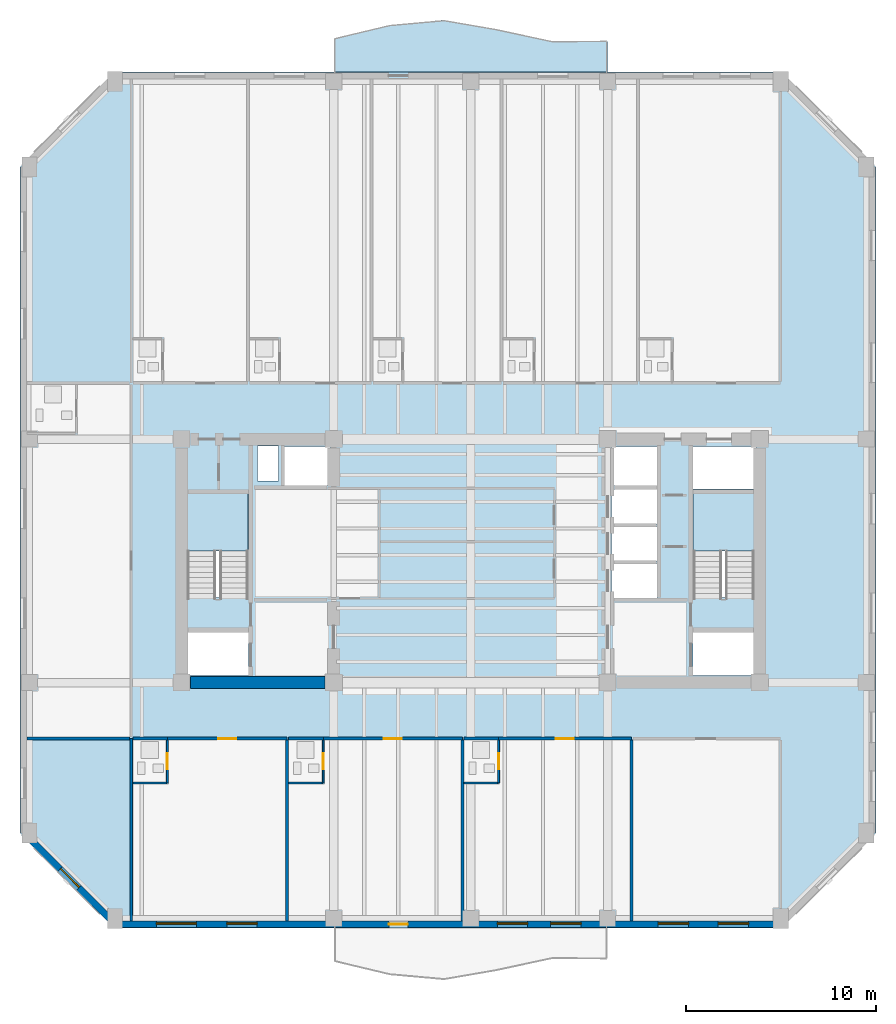
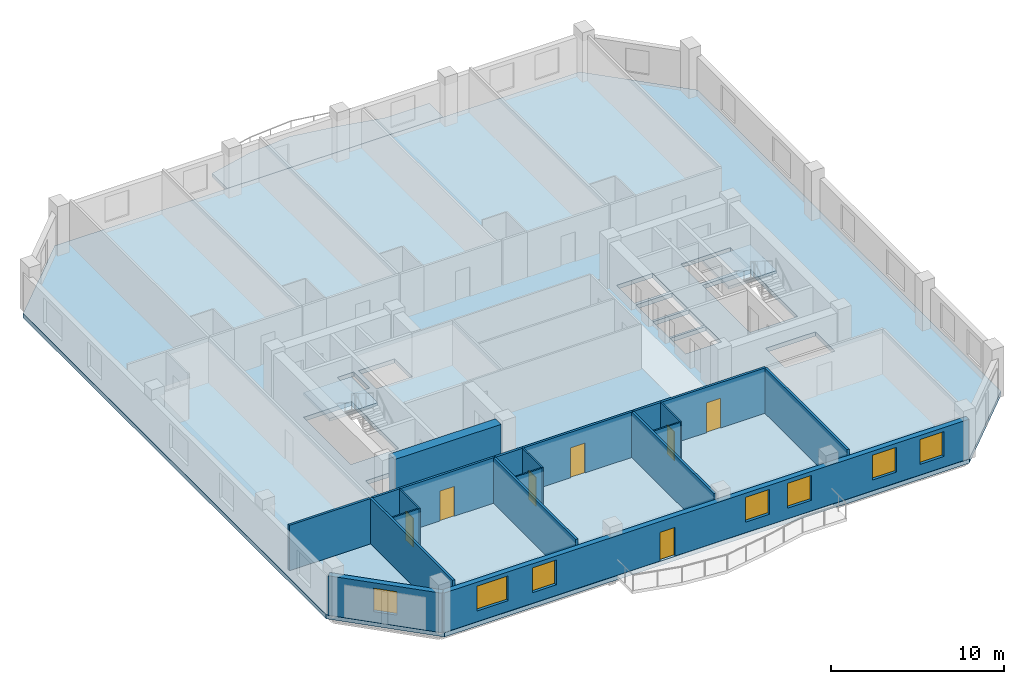
# One storey, part 2 of 11: 20 walls, 7 doors, 7 windows, 4 slabs, 14 openings, 2 elements without a shape of their own.
"""IFC4 building model written with IfcOpenShell, lengths in metres."""

from ifc_helpers import new_model, si_unit, direction, frame, frame_2d, origin, place, context, subcontext, project, spatial, polyline, rectangle, outline, extrude, material, layer, layer_set, type_object, element, fill, aggregate, save


model = new_model("IFC4")

# Units and contexts
model_context = context("Model", 3, precision=1e-05, world=origin(), true_north=direction((0.0, 1.0)))
body_context = subcontext(model_context, "Body", "Model", "MODEL_VIEW")
ifc_project = project(units=[si_unit("LENGTHUNIT", "METRE"), si_unit("AREAUNIT", "SQUARE_METRE"), si_unit("VOLUMEUNIT", "CUBIC_METRE"), si_unit("PLANEANGLEUNIT", "RADIAN"), si_unit("MASSUNIT", "GRAM", prefix="KILO")], contexts=[model_context])

# Site, building, storey
site_placement = place(None, origin())
site = spatial("IfcSite", under=ifc_project, at=site_placement, CompositionType="ELEMENT")
building_placement = place(site_placement, origin())
building = spatial("IfcBuilding", under=site, at=building_placement, Name="Kranthara Brick Stack", CompositionType="ELEMENT")
storey_placement = place(building_placement, frame((0.0, 0.0, 190.300048828125)))
storey = spatial("IfcBuildingStorey", under=building, at=storey_placement, Name="L49", CompositionType="ELEMENT", Elevation=190.300048828125)

# Slab
ifc_material_1 = material(Name="Concrete C45/55", Category="concrete")
ifc_layer_1 = layer(ifc_material_1, 0.219970703125)
ifc_layer_set_1 = layer_set([ifc_layer_1], Name="Concrete C45/55")
slab_type_1 = type_object("IfcSlabType", Name="SLB-BALC-220", PredefinedType="FLOOR", material=ifc_layer_set_1)
slab_1_placement = place(storey_placement, frame((0.0, 0.0, -0.219970703125)))
element("IfcSlab", 1, at=slab_1_placement, inside=storey, type_object=slab_type_1, Name="L49 North Rippling Balcony Slab", PredefinedType="FLOOR", context=body_context, shape_type="SweptSolid", body=[
    extrude(outline(polyline([(35.199951171875, 52.89990234375), (20.800048828125, 52.89990234375), (20.800048828125, 54.65771484375), (23.679931640625, 55.358154296875), (26.56005859375, 55.6396484375), (29.43994140625, 55.148193359375), (32.320068359375, 54.501708984375), (35.199951171875, 54.513427734375), (35.199951171875, 52.89990234375)])), origin(), (0.0, 0.0, 1.0), 0.219970703125),
])

# Stair, slab
ifc_material_2 = material(Name="Concrete C45/55", Category="concrete")
stair_type = type_object("IfcStairType", Name="ST-CORE-20R", PredefinedType="HALF_TURN_STAIR", material=ifc_material_2)
stair_1_placement = place(storey_placement, origin())
stair_1 = element("IfcStair", 2, at=stair_1_placement, inside=storey, type_object=stair_type, Name="L49 West Core Protected Exit Stair ST01", PredefinedType="HALF_TURN_STAIR")
ifc_material_3 = material(Name="Concrete C45/55", Category="concrete")
ifc_layer_2 = layer(ifc_material_3, 0.199951171875)
ifc_layer_set_2 = layer_set([ifc_layer_2], Name="Concrete C45/55")
slab_type_2 = type_object("IfcSlabType", Name="SLB-LANDING-200", PredefinedType="LANDING", material=ifc_layer_set_2)
slab_2_placement = place(storey_placement, frame((0.0, 0.0, 1.550048828125)))
slab_2 = element("IfcSlab", 3, at=slab_2_placement, type_object=slab_type_2, Name="ST01 landing 1", PredefinedType="LANDING", context=body_context, shape_type="SweptSolid", body=[
    extrude(outline(polyline([(16.300048828125, 27.719970703125), (16.300048828125, 30.75), (13.10009765625, 30.75), (13.10009765625, 27.719970703125), (16.300048828125, 27.719970703125)])), origin(), (0.0, 0.0, 1.0), 0.199951171875),
])
aggregate(stair_1, [slab_2])

stair_2_placement = place(storey_placement, origin())
stair_2 = element("IfcStair", 4, at=stair_2_placement, inside=storey, type_object=stair_type, Name="L49 East Core Protected Exit Stair ST02", PredefinedType="HALF_TURN_STAIR")
slab_3_placement = place(storey_placement, frame((0.0, 0.0, 1.550048828125)))
slab_3 = element("IfcSlab", 5, at=slab_3_placement, type_object=slab_type_2, Name="ST02 landing 1", PredefinedType="LANDING", context=body_context, shape_type="SweptSolid", body=[
    extrude(outline(polyline([(42.89990234375, 27.719970703125), (42.89990234375, 30.75), (39.699951171875, 30.75), (39.699951171875, 27.719970703125), (42.89990234375, 27.719970703125)])), origin(), (0.0, 0.0, 1.0), 0.199951171875),
])
aggregate(stair_2, [slab_3])

# Slab
ifc_material_4 = material(Name="Post-tensioned concrete C45/55", Category="concrete")
ifc_layer_3 = layer(ifc_material_4, 0.300048828125)
ifc_layer_set_3 = layer_set([ifc_layer_3], Name="Post-tensioned concrete C45/55")
slab_type_3 = type_object("IfcSlabType", Name="SLB-TWR-300", PredefinedType="FLOOR", material=ifc_layer_set_3)
slab_4_placement = place(storey_placement, frame((0.0, 0.0, -0.300048828125)))
element("IfcSlab", 6, at=slab_4_placement, inside=storey, type_object=slab_type_3, Name="L49 Structural Floor Plate", PredefinedType="FLOOR", context=body_context, shape_type="SweptSolid", body=[
    extrude(outline(polyline([(9.300048828125, 7.89990234375), (44.300048828125, 7.89990234375), (49.300048828125, 12.89990234375), (49.300048828125, 47.89990234375), (44.300048828125, 52.89990234375), (9.300048828125, 52.89990234375), (4.300048828125, 47.89990234375), (4.300048828125, 12.89990234375), (9.300048828125, 7.89990234375)]), holes=[polyline([(13.10009765625, 25.280029296875), (16.300048828125, 25.280029296875), (16.300048828125, 30.75), (13.10009765625, 30.75), (13.10009765625, 25.280029296875)]), polyline([(39.699951171875, 25.280029296875), (42.89990234375, 25.280029296875), (42.89990234375, 30.75), (39.699951171875, 30.75), (39.699951171875, 25.280029296875)]), polyline([(13.0, 21.179931640625), (16.320068359375, 21.179931640625), (16.320068359375, 23.419921875), (13.0, 23.419921875), (13.0, 21.179931640625)]), polyline([(39.679931640625, 21.179931640625), (43.0, 21.179931640625), (43.0, 23.419921875), (39.679931640625, 23.419921875), (39.679931640625, 21.179931640625)]), polyline([(39.679931640625, 30.97998046875), (43.0, 30.97998046875), (43.0, 33.219970703125), (39.679931640625, 33.219970703125), (39.679931640625, 30.97998046875)]), polyline([(35.39990234375, 25.25), (37.800048828125, 25.25), (37.800048828125, 27.050048828125), (35.39990234375, 27.050048828125), (35.39990234375, 25.25)]), polyline([(35.39990234375, 27.199951171875), (37.800048828125, 27.199951171875), (37.800048828125, 29.0), (35.39990234375, 29.0), (35.39990234375, 27.199951171875)]), polyline([(35.39990234375, 29.14990234375), (37.800048828125, 29.14990234375), (37.800048828125, 30.949951171875), (35.39990234375, 30.949951171875), (35.39990234375, 29.14990234375)]), polyline([(18.199951171875, 31.14990234375), (20.60009765625, 31.14990234375), (20.60009765625, 33.219970703125), (18.199951171875, 33.219970703125), (18.199951171875, 31.14990234375)]), polyline([(35.39990234375, 31.14990234375), (37.800048828125, 31.14990234375), (37.800048828125, 33.219970703125), (35.39990234375, 33.219970703125), (35.39990234375, 31.14990234375)]), polyline([(16.800048828125, 31.39990234375), (17.89990234375, 31.39990234375), (17.89990234375, 33.25), (16.800048828125, 33.25), (16.800048828125, 31.39990234375)])]), origin(), (0.0, 0.0, 1.0), 0.300048828125),
])

# Wall, openings, door, windows
ifc_material_5 = material(Name="Kiln-fired clay brick masonry M15", Category="masonry")
ifc_layer_4 = layer(ifc_material_5, 0.35009765625)
ifc_layer_set_4 = layer_set([ifc_layer_4], Name="Kiln-fired clay brick masonry M15")
wall_type_1 = type_object("IfcWallType", Name="WL-BRK-SPND-350", PredefinedType="STANDARD", material=ifc_layer_set_4)
wall_1_placement = place(storey_placement, frame((44.300048828125, 8.094970703125, 0.0), z_axis=(0.0, 0.0, 1.0), x_axis=(-1.0, 0.0, 0.0)))
wall_1 = element("IfcWall", 7, at=wall_1_placement, inside=storey, type_object=wall_type_1, Name="L49 Exterior Brick Facade Wall SOUTH 1", PredefinedType="STANDARD", context=body_context, shape_type="SweptSolid", body=[
    extrude(rectangle(XDim=35.0, YDim=0.35009765625, at=frame_2d((17.5, 0.0))), origin(), (0.0, 0.0, 1.0), 2.784912109375),
])
opening_1_placement = place(wall_1_placement, frame((19.60009765625, 0.0, 0.0)))
opening_1 = element("IfcOpeningElement", 8, at=opening_1_placement, cuts=wall_1, Name="Opening D03", PredefinedType="OPENING", context=body_context, shape_type="SweptSolid", body=[
    extrude(rectangle(XDim=1.0, YDim=2.02001953125, at=frame_2d((0.5, 1.010009765625))), frame((0.0, 0.18505859375, 0.0), z_axis=(0.0, -1.0, 0.0), x_axis=(1.0, 0.0, 0.0)), (0.0, 0.0, 1.0), 0.3701171875),
])
opening_2_placement = place(wall_1_placement, frame((1.68603515625, 0.0, 0.75)))
opening_2 = element("IfcOpeningElement", 9, at=opening_2_placement, cuts=wall_1, Name="Opening WN04", PredefinedType="OPENING", context=body_context, shape_type="SweptSolid", body=[
    extrude(rectangle(XDim=1.60009765625, YDim=1.75, at=frame_2d((0.800048828125, 0.875))), frame((0.0, 0.18505859375, 0.0), z_axis=(0.0, -1.0, 0.0), x_axis=(1.0, 0.0, 0.0)), (0.0, 0.0, 1.0), 0.3701171875),
])
opening_3_placement = place(wall_1_placement, frame((4.843017578125, 0.0, 0.75)))
opening_3 = element("IfcOpeningElement", 10, at=opening_3_placement, cuts=wall_1, Name="Opening WN04", PredefinedType="OPENING", context=body_context, shape_type="SweptSolid", body=[
    extrude(rectangle(XDim=1.60009765625, YDim=1.75, at=frame_2d((0.800048828125, 0.875))), frame((0.0, 0.18505859375, 0.0), z_axis=(0.0, -1.0, 0.0), x_axis=(1.0, 0.0, 0.0)), (0.0, 0.0, 1.0), 0.3701171875),
])
opening_4_placement = place(wall_1_placement, frame((10.49609375, 0.0, 0.75)))
opening_4 = element("IfcOpeningElement", 11, at=opening_4_placement, cuts=wall_1, Name="Opening WN04", PredefinedType="OPENING", context=body_context, shape_type="SweptSolid", body=[
    extrude(rectangle(XDim=1.60009765625, YDim=1.75, at=frame_2d((0.800048828125, 0.875))), frame((0.0, 0.18505859375, 0.0), z_axis=(0.0, -1.0, 0.0), x_axis=(1.0, 0.0, 0.0)), (0.0, 0.0, 1.0), 0.3701171875),
])
opening_5_placement = place(wall_1_placement, frame((13.303955078125, 0.0, 0.75)))
opening_5 = element("IfcOpeningElement", 12, at=opening_5_placement, cuts=wall_1, Name="Opening WN04", PredefinedType="OPENING", context=body_context, shape_type="SweptSolid", body=[
    extrude(rectangle(XDim=1.60009765625, YDim=1.75, at=frame_2d((0.800048828125, 0.875))), frame((0.0, 0.18505859375, 0.0), z_axis=(0.0, -1.0, 0.0), x_axis=(1.0, 0.0, 0.0)), (0.0, 0.0, 1.0), 0.3701171875),
])
opening_6_placement = place(wall_1_placement, frame((27.52490234375, 0.0, 0.75)))
opening_6 = element("IfcOpeningElement", 13, at=opening_6_placement, cuts=wall_1, Name="Opening WN04", PredefinedType="OPENING", context=body_context, shape_type="SweptSolid", body=[
    extrude(rectangle(XDim=1.60009765625, YDim=1.75, at=frame_2d((0.800048828125, 0.875))), frame((0.0, 0.18505859375, 0.0), z_axis=(0.0, -1.0, 0.0), x_axis=(1.0, 0.0, 0.0)), (0.0, 0.0, 1.0), 0.3701171875),
])
opening_7_placement = place(wall_1_placement, frame((30.72900390625, 0.0, 0.75)))
opening_7 = element("IfcOpeningElement", 14, at=opening_7_placement, cuts=wall_1, Name="Opening WN05", PredefinedType="OPENING", context=body_context, shape_type="SweptSolid", body=[
    extrude(rectangle(XDim=2.10009765625, YDim=1.75, at=frame_2d((1.050048828125, 0.875))), frame((0.0, 0.18505859375, 0.0), z_axis=(0.0, -1.0, 0.0), x_axis=(1.0, 0.0, 0.0)), (0.0, 0.0, 1.0), 0.3701171875),
])
ifc_material_6 = material(Name="Bronze anodised aluminium and laminated glass", Category="aluminium")
door_type_1 = type_object("IfcDoorType", Name="DR-BALC-1000", OperationType="NOTDEFINED", PredefinedType="DOOR", material=ifc_material_6)
door_1_placement = place(opening_1_placement, origin())
door_1 = element("IfcDoor", 15, at=door_1_placement, inside=storey, type_object=door_type_1, Name="L49 South Balcony Terrace Door", OperationType="SINGLE_SWING_LEFT", OverallHeight=2.02001953125, OverallWidth=1.0, PredefinedType="DOOR", context=body_context, shape_type="SweptSolid", body=[
    extrude(rectangle(XDim=1.0, YDim=2.02001953125, at=frame_2d((0.5, 1.010009765625))), frame((0.0, 0.02490234375, 0.0), z_axis=(0.0, -1.0, 0.0), x_axis=(1.0, 0.0, 0.0)), (0.0, 0.0, 1.0), 0.050048828125),
])
fill(opening_1, door_1)
ifc_material_7 = material(Name="Double-glazed low-E solar control glass", Category="glass")
window_type_1 = type_object("IfcWindowType", Name="WN-HTL-1600x1850", PartitioningType="DOUBLE_PANEL_VERTICAL", PredefinedType="WINDOW", material=ifc_material_7)
window_1_placement = place(opening_2_placement, origin())
window_1 = element("IfcWindow", 16, at=window_1_placement, inside=storey, type_object=window_type_1, Name="L49 South Deep-Set Brick Window 01", OverallHeight=1.75, OverallWidth=1.60009765625, PartitioningType="SINGLE_PANEL", PredefinedType="WINDOW", context=body_context, shape_type="SweptSolid", body=[
    extrude(rectangle(XDim=1.60009765625, YDim=1.75, at=frame_2d((0.800048828125, 0.875))), frame((0.0, -0.010009765625, 0.0), z_axis=(0.0, -1.0, 0.0), x_axis=(1.0, 0.0, 0.0)), (0.0, 0.0, 1.0), 0.06005859375),
])
fill(opening_2, window_1)
window_2_placement = place(opening_3_placement, origin())
window_2 = element("IfcWindow", 17, at=window_2_placement, inside=storey, type_object=window_type_1, Name="L49 South Deep-Set Brick Window 02", OverallHeight=1.75, OverallWidth=1.60009765625, PartitioningType="SINGLE_PANEL", PredefinedType="WINDOW", context=body_context, shape_type="SweptSolid", body=[
    extrude(rectangle(XDim=1.60009765625, YDim=1.75, at=frame_2d((0.800048828125, 0.875))), frame((0.0, -0.010009765625, 0.0), z_axis=(0.0, -1.0, 0.0), x_axis=(1.0, 0.0, 0.0)), (0.0, 0.0, 1.0), 0.06005859375),
])
fill(opening_3, window_2)
window_3_placement = place(opening_4_placement, origin())
window_3 = element("IfcWindow", 18, at=window_3_placement, inside=storey, type_object=window_type_1, Name="L49 South Deep-Set Brick Window 03", OverallHeight=1.75, OverallWidth=1.60009765625, PartitioningType="SINGLE_PANEL", PredefinedType="WINDOW", context=body_context, shape_type="SweptSolid", body=[
    extrude(rectangle(XDim=1.60009765625, YDim=1.75, at=frame_2d((0.800048828125, 0.875))), frame((0.0, -0.010009765625, 0.0), z_axis=(0.0, -1.0, 0.0), x_axis=(1.0, 0.0, 0.0)), (0.0, 0.0, 1.0), 0.06005859375),
])
fill(opening_4, window_3)
window_4_placement = place(opening_5_placement, origin())
window_4 = element("IfcWindow", 19, at=window_4_placement, inside=storey, type_object=window_type_1, Name="L49 South Deep-Set Brick Window 04", OverallHeight=1.75, OverallWidth=1.60009765625, PartitioningType="SINGLE_PANEL", PredefinedType="WINDOW", context=body_context, shape_type="SweptSolid", body=[
    extrude(rectangle(XDim=1.60009765625, YDim=1.75, at=frame_2d((0.800048828125, 0.875))), frame((0.0, -0.010009765625, 0.0), z_axis=(0.0, -1.0, 0.0), x_axis=(1.0, 0.0, 0.0)), (0.0, 0.0, 1.0), 0.06005859375),
])
fill(opening_5, window_4)
window_5_placement = place(opening_6_placement, origin())
window_5 = element("IfcWindow", 20, at=window_5_placement, inside=storey, type_object=window_type_1, Name="L49 South Deep-Set Brick Window 05", OverallHeight=1.75, OverallWidth=1.60009765625, PartitioningType="SINGLE_PANEL", PredefinedType="WINDOW", context=body_context, shape_type="SweptSolid", body=[
    extrude(rectangle(XDim=1.60009765625, YDim=1.75, at=frame_2d((0.800048828125, 0.875))), frame((0.0, -0.010009765625, 0.0), z_axis=(0.0, -1.0, 0.0), x_axis=(1.0, 0.0, 0.0)), (0.0, 0.0, 1.0), 0.06005859375),
])
fill(opening_6, window_5)
ifc_material_8 = material(Name="Double-glazed low-E solar control glass", Category="glass")
window_type_2 = type_object("IfcWindowType", Name="WN-HTL-2100x1850", PartitioningType="DOUBLE_PANEL_VERTICAL", PredefinedType="WINDOW", material=ifc_material_8)
window_6_placement = place(opening_7_placement, origin())
window_6 = element("IfcWindow", 21, at=window_6_placement, inside=storey, type_object=window_type_2, Name="L49 South Deep-Set Brick Window 06", OverallHeight=1.75, OverallWidth=2.10009765625, PartitioningType="SINGLE_PANEL", PredefinedType="WINDOW", context=body_context, shape_type="SweptSolid", body=[
    extrude(rectangle(XDim=2.10009765625, YDim=1.75, at=frame_2d((1.050048828125, 0.875))), frame((0.0, -0.010009765625, 0.0), z_axis=(0.0, -1.0, 0.0), x_axis=(1.0, 0.0, 0.0)), (0.0, 0.0, 1.0), 0.06005859375),
])
fill(opening_7, window_6)

# Wall, opening, window
wall_2_placement = place(storey_placement, frame((9.300048828125, 8.094970703125, 0.0), z_axis=(0.0, 0.0, 1.0), x_axis=(-0.707106781187, 0.707106781187, 0.0)))
wall_2 = element("IfcWall", 22, at=wall_2_placement, inside=storey, type_object=wall_type_1, Name="L49 Exterior Brick Facade Wall SW 1", PredefinedType="STANDARD", context=body_context, shape_type="SweptSolid", body=[
    extrude(rectangle(XDim=6.795166015625, YDim=0.35009765625, at=frame_2d((3.3974609375, 0.0))), origin(), (0.0, 0.0, 1.0), 2.784912109375),
])
opening_8_placement = place(wall_2_placement, frame((2.697998046875, 0.0, 0.75)))
opening_8 = element("IfcOpeningElement", 23, at=opening_8_placement, cuts=wall_2, Name="Opening WN10", PredefinedType="OPENING", context=body_context, shape_type="SweptSolid", body=[
    extrude(rectangle(XDim=1.39990234375, YDim=1.64990234375, at=frame_2d((0.699951171875, 0.824951171875))), frame((0.0, 0.18505859375, 0.0), z_axis=(0.0, -1.0, 0.0), x_axis=(1.0, 0.0, 0.0)), (0.0, 0.0, 1.0), 0.3701171875),
])
ifc_material_9 = material(Name="Double-glazed low-E solar control glass", Category="glass")
window_type_3 = type_object("IfcWindowType", Name="WN-CHM-1400x1750", PartitioningType="SINGLE_PANEL", PredefinedType="WINDOW", material=ifc_material_9)
window_7_placement = place(opening_8_placement, origin())
window_7 = element("IfcWindow", 24, at=window_7_placement, inside=storey, type_object=window_type_3, Name="L49 SW Chamfer Corner Window", OverallHeight=1.64990234375, OverallWidth=1.39990234375, PartitioningType="SINGLE_PANEL", PredefinedType="WINDOW", context=body_context, shape_type="SweptSolid", body=[
    extrude(rectangle(XDim=1.39990234375, YDim=1.64990234375, at=frame_2d((0.699951171875, 0.824951171875))), frame((0.0, -0.010009765625, 0.0), z_axis=(0.0, -1.0, 0.0), x_axis=(1.0, 0.0, 0.0)), (0.0, 0.0, 1.0), 0.06005859375),
])
fill(opening_8, window_7)

# Wall
ifc_material_10 = material(Name="Concrete C60/75", Category="concrete")
ifc_layer_5 = layer(ifc_material_10, 0.64990234375)
ifc_layer_set_5 = layer_set([ifc_layer_5], Name="Concrete C60/75")
wall_type_2 = type_object("IfcWallType", Name="WL-CORE-650", PredefinedType="SHEAR", material=ifc_layer_set_5)
wall_3_placement = place(storey_placement, frame((13.2548828125, 20.800048828125, 0.0), z_axis=(0.0, 0.0, 1.0), x_axis=(1.0, 0.0, 0.0)))
element("IfcWall", 25, at=wall_3_placement, inside=storey, type_object=wall_type_2, Name="L49 West Core Shear Wall South", PredefinedType="SHEAR", context=body_context, shape_type="SweptSolid", body=[
    extrude(rectangle(XDim=7.090087890625, YDim=0.64990234375, at=frame_2d((3.544921875, 0.0))), origin(), (0.0, 0.0, 1.0), 3.199951171875),
])

# Wall, opening, door
ifc_material_11 = material(Name="Moisture-resistant wet-room partition", Category="other")
ifc_layer_6 = layer(ifc_material_11, 0.10009765625)
ifc_layer_set_6 = layer_set([ifc_layer_6], Name="Moisture-resistant wet-room partition")
wall_type_3 = type_object("IfcWallType", Name="WL-PART-100", PredefinedType="PARTITIONING", material=ifc_layer_set_6)
wall_4_placement = place(storey_placement, frame((12.050048828125, 15.52001953125, 0.0), z_axis=(0.0, 0.0, 1.0), x_axis=(0.0, 1.0, 0.0)))
wall_4 = element("IfcWall", 26, at=wall_4_placement, inside=storey, type_object=wall_type_3, Name="L49 Interior Partition 012", PredefinedType="PARTITIONING", context=body_context, shape_type="SweptSolid", body=[
    extrude(rectangle(XDim=2.25, YDim=0.10009765625, at=frame_2d((1.125, 0.0))), origin(), (0.0, 0.0, 1.0), 3.199951171875),
])
opening_9_placement = place(wall_4_placement, frame((0.719970703125, 0.0, 0.0)))
opening_9 = element("IfcOpeningElement", 27, at=opening_9_placement, cuts=wall_4, Name="Opening D17", PredefinedType="OPENING", context=body_context, shape_type="SweptSolid", body=[
    extrude(rectangle(XDim=0.85009765625, YDim=2.050048828125, at=frame_2d((0.425048828125, 1.02490234375))), frame((0.0, 0.06005859375, 0.0), z_axis=(0.0, -1.0, 0.0), x_axis=(1.0, 0.0, 0.0)), (0.0, 0.0, 1.0), 0.1201171875),
])
ifc_material_12 = material(Name="Solid-core hardwood timber leaf in steel frame", Category="steel")
door_type_2 = type_object("IfcDoorType", Name="DR-WET-850", OperationType="NOTDEFINED", PredefinedType="DOOR", material=ifc_material_12)
door_2_placement = place(opening_9_placement, origin())
door_2 = element("IfcDoor", 28, at=door_2_placement, inside=storey, type_object=door_type_2, Name="L49 Key 01 En-Suite Door 07", OperationType="SINGLE_SWING_LEFT", OverallHeight=2.050048828125, OverallWidth=0.85009765625, PredefinedType="DOOR", context=body_context, shape_type="SweptSolid", body=[
    extrude(rectangle(XDim=0.85009765625, YDim=2.050048828125, at=frame_2d((0.425048828125, 1.02490234375))), frame((0.0, 0.02490234375, 0.0), z_axis=(0.0, -1.0, 0.0), x_axis=(1.0, 0.0, 0.0)), (0.0, 0.0, 1.0), 0.050048828125),
])
fill(opening_9, door_2)

# Wall
wall_5_placement = place(storey_placement, frame((10.22998046875, 15.52001953125, 0.0), z_axis=(0.0, 0.0, 1.0), x_axis=(1.0, 0.0, 0.0)))
element("IfcWall", 29, at=wall_5_placement, inside=storey, type_object=wall_type_3, Name="L49 Interior Partition 013", PredefinedType="PARTITIONING", context=body_context, shape_type="SweptSolid", body=[
    extrude(rectangle(XDim=1.76513671875, YDim=0.10009765625, at=frame_2d((0.882568359375, 0.0))), origin(), (0.0, 0.0, 1.0), 3.199951171875),
])

# Wall, opening, door
wall_6_placement = place(storey_placement, frame((20.24609375, 15.52001953125, 0.0), z_axis=(0.0, 0.0, 1.0), x_axis=(0.0, 1.0, 0.0)))
wall_6 = element("IfcWall", 30, at=wall_6_placement, inside=storey, type_object=wall_type_3, Name="L49 Interior Partition 017", PredefinedType="PARTITIONING", context=body_context, shape_type="SweptSolid", body=[
    extrude(rectangle(XDim=2.25, YDim=0.10009765625, at=frame_2d((1.125, 0.0))), origin(), (0.0, 0.0, 1.0), 3.199951171875),
])
opening_10_placement = place(wall_6_placement, frame((0.719970703125, 0.0, 0.0)))
opening_10 = element("IfcOpeningElement", 31, at=opening_10_placement, cuts=wall_6, Name="Opening D17", PredefinedType="OPENING", context=body_context, shape_type="SweptSolid", body=[
    extrude(rectangle(XDim=0.85009765625, YDim=2.050048828125, at=frame_2d((0.425048828125, 1.02490234375))), frame((0.0, 0.06005859375, 0.0), z_axis=(0.0, -1.0, 0.0), x_axis=(1.0, 0.0, 0.0)), (0.0, 0.0, 1.0), 0.1201171875),
])
door_3_placement = place(opening_10_placement, origin())
door_3 = element("IfcDoor", 32, at=door_3_placement, inside=storey, type_object=door_type_2, Name="L49 Key 02 En-Suite Door 09", OperationType="SINGLE_SWING_LEFT", OverallHeight=2.050048828125, OverallWidth=0.85009765625, PredefinedType="DOOR", context=body_context, shape_type="SweptSolid", body=[
    extrude(rectangle(XDim=0.85009765625, YDim=2.050048828125, at=frame_2d((0.425048828125, 1.02490234375))), frame((0.0, 0.02490234375, 0.0), z_axis=(0.0, -1.0, 0.0), x_axis=(1.0, 0.0, 0.0)), (0.0, 0.0, 1.0), 0.050048828125),
])
fill(opening_10, door_3)

# Wall
wall_7_placement = place(storey_placement, frame((18.426025390625, 15.52001953125, 0.0), z_axis=(0.0, 0.0, 1.0), x_axis=(1.0, 0.0, 0.0)))
element("IfcWall", 33, at=wall_7_placement, inside=storey, type_object=wall_type_3, Name="L49 Interior Partition 018", PredefinedType="PARTITIONING", context=body_context, shape_type="SweptSolid", body=[
    extrude(rectangle(XDim=1.764892578125, YDim=0.10009765625, at=frame_2d((0.88232421875, 0.0))), origin(), (0.0, 0.0, 1.0), 3.199951171875),
])

# Wall, opening, door
wall_8_placement = place(storey_placement, frame((29.466064453125, 15.52001953125, 0.0), z_axis=(0.0, 0.0, 1.0), x_axis=(0.0, 1.0, 0.0)))
wall_8 = element("IfcWall", 34, at=wall_8_placement, inside=storey, type_object=wall_type_3, Name="L49 Interior Partition 022", PredefinedType="PARTITIONING", context=body_context, shape_type="SweptSolid", body=[
    extrude(rectangle(XDim=2.25, YDim=0.10009765625, at=frame_2d((1.125, 0.0))), origin(), (0.0, 0.0, 1.0), 3.199951171875),
])
opening_11_placement = place(wall_8_placement, frame((0.719970703125, 0.0, 0.0)))
opening_11 = element("IfcOpeningElement", 35, at=opening_11_placement, cuts=wall_8, Name="Opening D17", PredefinedType="OPENING", context=body_context, shape_type="SweptSolid", body=[
    extrude(rectangle(XDim=0.85009765625, YDim=2.050048828125, at=frame_2d((0.425048828125, 1.02490234375))), frame((0.0, 0.06005859375, 0.0), z_axis=(0.0, -1.0, 0.0), x_axis=(1.0, 0.0, 0.0)), (0.0, 0.0, 1.0), 0.1201171875),
])
door_4_placement = place(opening_11_placement, origin())
door_4 = element("IfcDoor", 36, at=door_4_placement, inside=storey, type_object=door_type_2, Name="L49 Key 03 En-Suite Door 11", OperationType="SINGLE_SWING_LEFT", OverallHeight=2.050048828125, OverallWidth=0.85009765625, PredefinedType="DOOR", context=body_context, shape_type="SweptSolid", body=[
    extrude(rectangle(XDim=0.85009765625, YDim=2.050048828125, at=frame_2d((0.425048828125, 1.02490234375))), frame((0.0, 0.02490234375, 0.0), z_axis=(0.0, -1.0, 0.0), x_axis=(1.0, 0.0, 0.0)), (0.0, 0.0, 1.0), 0.050048828125),
])
fill(opening_11, door_4)

# Walls
wall_9_placement = place(storey_placement, frame((27.64599609375, 15.52001953125, 0.0), z_axis=(0.0, 0.0, 1.0), x_axis=(1.0, 0.0, 0.0)))
element("IfcWall", 37, at=wall_9_placement, inside=storey, type_object=wall_type_3, Name="L49 Interior Partition 023", PredefinedType="PARTITIONING", context=body_context, shape_type="SweptSolid", body=[
    extrude(rectangle(XDim=1.764892578125, YDim=0.10009765625, at=frame_2d((0.88232421875, 0.0))), origin(), (0.0, 0.0, 1.0), 3.199951171875),
])
ifc_material_13 = material(Name="Fire-rated gypsum board partition", Category="other")
ifc_layer_7 = layer(ifc_material_13, 0.14990234375)
ifc_layer_set_7 = layer_set([ifc_layer_7], Name="Fire-rated gypsum board partition")
wall_type_4 = type_object("IfcWallType", Name="WL-PART-150", PredefinedType="PARTITIONING", material=ifc_layer_set_7)
wall_10_placement = place(storey_placement, frame((10.14990234375, 8.27490234375, 0.0), z_axis=(0.0, 0.0, 1.0), x_axis=(0.0, 1.0, 0.0)))
element("IfcWall", 38, at=wall_10_placement, inside=storey, type_object=wall_type_4, Name="L49 Interior Partition 009", PredefinedType="PARTITIONING", context=body_context, shape_type="SweptSolid", body=[
    extrude(rectangle(XDim=9.5751953125, YDim=0.14990234375, at=frame_2d((4.78759765625, 0.0))), origin(), (0.0, 0.0, 1.0), 3.199951171875),
])
wall_11_placement = place(storey_placement, frame((10.22998046875, 17.85009765625, 0.0), z_axis=(0.0, 0.0, 1.0), x_axis=(1.0, 0.0, 0.0)))
element("IfcWall", 39, at=wall_11_placement, inside=storey, type_object=wall_type_4, Name="L49 Interior Partition 010", PredefinedType="PARTITIONING", context=body_context, shape_type="SweptSolid", body=[
    extrude(rectangle(XDim=1.820068359375, YDim=0.14990234375, at=frame_2d((0.91015625, 0.0))), origin(), (0.0, 0.0, 1.0), 3.199951171875),
])

# Wall, opening, door
wall_12_placement = place(storey_placement, frame((12.050048828125, 17.85009765625, 0.0), z_axis=(0.0, 0.0, 1.0), x_axis=(1.0, 0.0, 0.0)))
wall_12 = element("IfcWall", 40, at=wall_12_placement, inside=storey, type_object=wall_type_4, Name="L49 Interior Partition 011", PredefinedType="PARTITIONING", context=body_context, shape_type="SweptSolid", body=[
    extrude(rectangle(XDim=6.2958984375, YDim=0.14990234375, at=frame_2d((3.14794921875, 0.0))), origin(), (0.0, 0.0, 1.0), 3.199951171875),
])
opening_12_placement = place(wall_12_placement, frame((2.66796875, 0.0, 0.0)))
opening_12 = element("IfcOpeningElement", 41, at=opening_12_placement, cuts=wall_12, Name="Opening D09", PredefinedType="OPENING", context=body_context, shape_type="SweptSolid", body=[
    extrude(rectangle(XDim=0.949951171875, YDim=2.10009765625, at=frame_2d((0.47509765625, 1.050048828125))), frame((0.0, 0.0849609375, 0.0), z_axis=(0.0, -1.0, 0.0), x_axis=(1.0, 0.0, 0.0)), (0.0, 0.0, 1.0), 0.169921875),
])
ifc_material_14 = material(Name="Solid-core hardwood timber leaf in steel frame", Category="steel")
door_type_3 = type_object("IfcDoorType", Name="DR-FD-950", OperationType="NOTDEFINED", PredefinedType="DOOR", material=ifc_material_14)
door_5_placement = place(opening_12_placement, origin())
door_5 = element("IfcDoor", 42, at=door_5_placement, inside=storey, type_object=door_type_3, Name="L49 Key 01 Entry 08", OperationType="SINGLE_SWING_RIGHT", OverallHeight=2.10009765625, OverallWidth=0.949951171875, PredefinedType="DOOR", context=body_context, shape_type="SweptSolid", body=[
    extrude(rectangle(XDim=0.949951171875, YDim=2.10009765625, at=frame_2d((0.47509765625, 1.050048828125))), frame((0.0, 0.02490234375, 0.0), z_axis=(0.0, -1.0, 0.0), x_axis=(1.0, 0.0, 0.0)), (0.0, 0.0, 1.0), 0.050048828125),
])
fill(opening_12, door_5)

# Walls
wall_13_placement = place(storey_placement, frame((18.345947265625, 8.27490234375, 0.0), z_axis=(0.0, 0.0, 1.0), x_axis=(0.0, 1.0, 0.0)))
element("IfcWall", 43, at=wall_13_placement, inside=storey, type_object=wall_type_4, Name="L49 Interior Partition 014", PredefinedType="PARTITIONING", context=body_context, shape_type="SweptSolid", body=[
    extrude(rectangle(XDim=9.4951171875, YDim=0.14990234375, at=frame_2d((4.74755859375, 0.0))), origin(), (0.0, 0.0, 1.0), 3.199951171875),
])
wall_14_placement = place(storey_placement, frame((18.426025390625, 17.85009765625, 0.0), z_axis=(0.0, 0.0, 1.0), x_axis=(1.0, 0.0, 0.0)))
element("IfcWall", 44, at=wall_14_placement, inside=storey, type_object=wall_type_4, Name="L49 Interior Partition 015", PredefinedType="PARTITIONING", context=body_context, shape_type="SweptSolid", body=[
    extrude(rectangle(XDim=1.820068359375, YDim=0.14990234375, at=frame_2d((0.91015625, 0.0))), origin(), (0.0, 0.0, 1.0), 3.199951171875),
])

# Wall, opening, door
wall_15_placement = place(storey_placement, frame((20.24609375, 17.85009765625, 0.0), z_axis=(0.0, 0.0, 1.0), x_axis=(1.0, 0.0, 0.0)))
wall_15 = element("IfcWall", 45, at=wall_15_placement, inside=storey, type_object=wall_type_4, Name="L49 Interior Partition 016", PredefinedType="PARTITIONING", context=body_context, shape_type="SweptSolid", body=[
    extrude(rectangle(XDim=7.31982421875, YDim=0.14990234375, at=frame_2d((3.659912109375, 0.0))), origin(), (0.0, 0.0, 1.0), 3.199951171875),
])
opening_13_placement = place(wall_15_placement, frame((3.179931640625, 0.0, 0.0)))
opening_13 = element("IfcOpeningElement", 46, at=opening_13_placement, cuts=wall_15, Name="Opening D09", PredefinedType="OPENING", context=body_context, shape_type="SweptSolid", body=[
    extrude(rectangle(XDim=0.949951171875, YDim=2.10009765625, at=frame_2d((0.47509765625, 1.050048828125))), frame((0.0, 0.0849609375, 0.0), z_axis=(0.0, -1.0, 0.0), x_axis=(1.0, 0.0, 0.0)), (0.0, 0.0, 1.0), 0.169921875),
])
door_6_placement = place(opening_13_placement, origin())
door_6 = element("IfcDoor", 47, at=door_6_placement, inside=storey, type_object=door_type_3, Name="L49 Key 02 Entry 10", OperationType="SINGLE_SWING_RIGHT", OverallHeight=2.10009765625, OverallWidth=0.949951171875, PredefinedType="DOOR", context=body_context, shape_type="SweptSolid", body=[
    extrude(rectangle(XDim=0.949951171875, YDim=2.10009765625, at=frame_2d((0.47509765625, 1.050048828125))), frame((0.0, 0.02490234375, 0.0), z_axis=(0.0, -1.0, 0.0), x_axis=(1.0, 0.0, 0.0)), (0.0, 0.0, 1.0), 0.050048828125),
])
fill(opening_13, door_6)

# Walls
wall_16_placement = place(storey_placement, frame((27.56591796875, 8.27490234375, 0.0), z_axis=(0.0, 0.0, 1.0), x_axis=(0.0, 1.0, 0.0)))
element("IfcWall", 48, at=wall_16_placement, inside=storey, type_object=wall_type_4, Name="L49 Interior Partition 019", PredefinedType="PARTITIONING", context=body_context, shape_type="SweptSolid", body=[
    extrude(rectangle(XDim=9.4951171875, YDim=0.14990234375, at=frame_2d((4.74755859375, 0.0))), origin(), (0.0, 0.0, 1.0), 3.199951171875),
])
wall_17_placement = place(storey_placement, frame((27.64599609375, 17.85009765625, 0.0), z_axis=(0.0, 0.0, 1.0), x_axis=(1.0, 0.0, 0.0)))
element("IfcWall", 49, at=wall_17_placement, inside=storey, type_object=wall_type_4, Name="L49 Interior Partition 020", PredefinedType="PARTITIONING", context=body_context, shape_type="SweptSolid", body=[
    extrude(rectangle(XDim=1.820068359375, YDim=0.14990234375, at=frame_2d((0.91015625, 0.0))), origin(), (0.0, 0.0, 1.0), 3.199951171875),
])

# Wall, opening, door
wall_18_placement = place(storey_placement, frame((29.466064453125, 17.85009765625, 0.0), z_axis=(0.0, 0.0, 1.0), x_axis=(1.0, 0.0, 0.0)))
wall_18 = element("IfcWall", 50, at=wall_18_placement, inside=storey, type_object=wall_type_4, Name="L49 Interior Partition 021", PredefinedType="PARTITIONING", context=body_context, shape_type="SweptSolid", body=[
    extrude(rectangle(XDim=6.97998046875, YDim=0.14990234375, at=frame_2d((3.489990234375, 0.0))), origin(), (0.0, 0.0, 1.0), 3.199951171875),
])
opening_14_placement = place(wall_18_placement, frame((3.010009765625, 0.0, 0.0)))
opening_14 = element("IfcOpeningElement", 51, at=opening_14_placement, cuts=wall_18, Name="Opening D09", PredefinedType="OPENING", context=body_context, shape_type="SweptSolid", body=[
    extrude(rectangle(XDim=0.949951171875, YDim=2.10009765625, at=frame_2d((0.47509765625, 1.050048828125))), frame((0.0, 0.0849609375, 0.0), z_axis=(0.0, -1.0, 0.0), x_axis=(1.0, 0.0, 0.0)), (0.0, 0.0, 1.0), 0.169921875),
])
door_7_placement = place(opening_14_placement, origin())
door_7 = element("IfcDoor", 52, at=door_7_placement, inside=storey, type_object=door_type_3, Name="L49 Key 03 Entry 12", OperationType="SINGLE_SWING_RIGHT", OverallHeight=2.10009765625, OverallWidth=0.949951171875, PredefinedType="DOOR", context=body_context, shape_type="SweptSolid", body=[
    extrude(rectangle(XDim=0.949951171875, YDim=2.10009765625, at=frame_2d((0.47509765625, 1.050048828125))), frame((0.0, 0.02490234375, 0.0), z_axis=(0.0, -1.0, 0.0), x_axis=(1.0, 0.0, 0.0)), (0.0, 0.0, 1.0), 0.050048828125),
])
fill(opening_14, door_7)

# Walls
wall_19_placement = place(storey_placement, frame((36.446044921875, 8.27490234375, 0.0), z_axis=(0.0, 0.0, 1.0), x_axis=(0.0, 1.0, 0.0)))
element("IfcWall", 53, at=wall_19_placement, inside=storey, type_object=wall_type_4, Name="L49 Interior Partition 024", PredefinedType="PARTITIONING", context=body_context, shape_type="SweptSolid", body=[
    extrude(rectangle(XDim=9.4951171875, YDim=0.14990234375, at=frame_2d((4.74755859375, 0.0))), origin(), (0.0, 0.0, 1.0), 3.199951171875),
])
wall_20_placement = place(storey_placement, frame((4.675048828125, 17.85009765625, 0.0), z_axis=(0.0, 0.0, 1.0), x_axis=(1.0, 0.0, 0.0)))
element("IfcWall", 54, at=wall_20_placement, inside=storey, type_object=wall_type_4, Name="L49 Interior Partition 053", PredefinedType="PARTITIONING", context=body_context, shape_type="SweptSolid", body=[
    extrude(rectangle(XDim=5.39501953125, YDim=0.14990234375, at=frame_2d((2.697509765625, 0.0))), origin(), (0.0, 0.0, 1.0), 3.199951171875),
])

save(model, "model.ifc")
